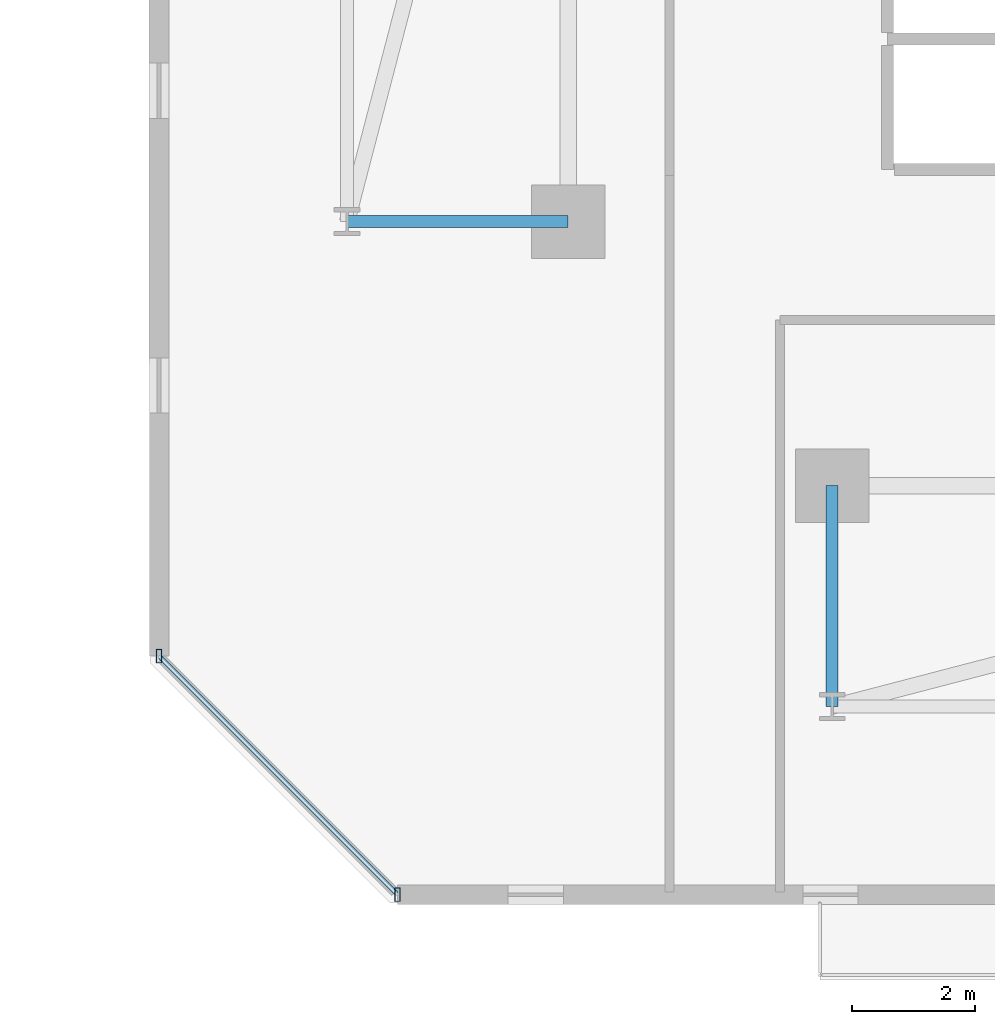
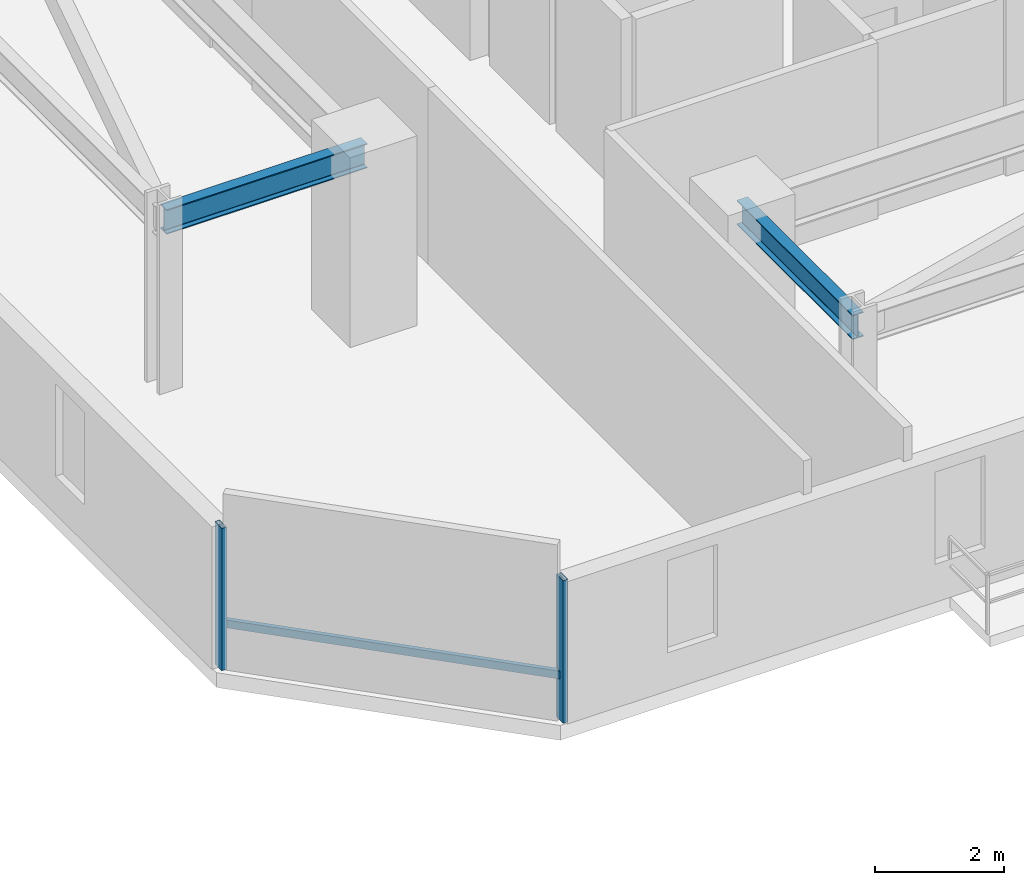
# One storey, part 11 of 33: 3 members, 2 beams, 1 element without a shape of its own.
"""IFC4 building model written with IfcOpenShell, lengths in metres."""

from ifc_helpers import new_model, si_unit, direction, frame, origin, origin_2d, place, context, subcontext, project, spatial, hollow_rectangle, i_section, extrude, material, material_profile, profile_set, type_object, element, aggregate, save


model = new_model("IFC4")

# Units and contexts
model_context = context("Model", 3, precision=1e-05, world=origin(), true_north=direction((0.0, 1.0)))
body_context = subcontext(model_context, "Body", "Model", "MODEL_VIEW")
ifc_project = project(units=[si_unit("LENGTHUNIT", "METRE"), si_unit("AREAUNIT", "SQUARE_METRE"), si_unit("VOLUMEUNIT", "CUBIC_METRE"), si_unit("PLANEANGLEUNIT", "RADIAN"), si_unit("MASSUNIT", "GRAM", prefix="KILO")], contexts=[model_context])

# Site, building, storey
site_placement = place(None, origin())
site = spatial("IfcSite", under=ifc_project, at=site_placement, CompositionType="ELEMENT")
building_placement = place(site_placement, origin())
building = spatial("IfcBuilding", under=site, at=building_placement, Name="Thornwick Lancets Civic Towers", CompositionType="ELEMENT")
storey_placement = place(building_placement, frame((0.0, 0.0, 101.699951171875)))
storey = spatial("IfcBuildingStorey", under=building, at=storey_placement, Name="L26", CompositionType="ELEMENT", Elevation=101.699951171875)

# Beams
ifc_material_1 = material(Name="Steel S355JR", Category="steel")
ifc_material_profile_1 = material_profile(ifc_material_1, i_section(OverallWidth=0.19287109375, OverallDepth=0.46728515625, WebThickness=0.011474609375, FlangeThickness=0.01953125, FilletRadius=0.01025390625, at=origin_2d()), Name="UKB 457x191x98")
ifc_profile_set_1 = profile_set([ifc_material_profile_1], Name="Steel S355JR")
beam_type = type_object("IfcBeamType", Name="BM_JOIST_457_98", PredefinedType="JOIST", material=ifc_profile_set_1)
for number, where, z_axis, x_axis, name in (
    (1, (71.199951171875, 14.0, 3.12646484375), (-1.0, 0.0, 0.0), (0.0, -1.0, 0.0), "BM-RAD-L26-B07"),
    (2, (75.5, 9.699951171875, 3.12646484375), (0.0, -1.0, 0.0), (1.0, 0.0, 0.0), "BM-RAD-L26-B12"),
):
    element("IfcBeam", number, at=place(storey_placement, frame(where, z_axis=z_axis, x_axis=x_axis)), inside=storey, type_object=beam_type, Name=name, PredefinedType="JOIST", context=body_context, shape_type="SweptSolid", body=[
        extrude(i_section(OverallWidth=0.19287109375, OverallDepth=0.46728515625, WebThickness=0.011474609375, FlangeThickness=0.01953125, FilletRadius=0.01025390625, at=origin_2d()), origin(), (0.0, 0.0, 1.0), 3.599853515625),
    ])

# Curtain wall, members
ifc_material_2 = material(Name="Low-zone chamfered-corner unitised glass curtain wall", Category="glass")
curtain_wall_type = type_object("IfcCurtainWallType", Name="CW_SYS_03", PredefinedType="NOTDEFINED", material=ifc_material_2)
curtain_wall_placement = place(storey_placement, origin())
curtain_wall = element("IfcCurtainWall", 3, at=curtain_wall_placement, inside=storey, type_object=curtain_wall_type, Name="L26 Curtain Wall CW-L26-B-E7", PredefinedType="NOTDEFINED")
ifc_material_3 = material(Name="Thermally broken bronze aluminium S355", Category="steel")
ifc_material_profile_2 = material_profile(ifc_material_3, hollow_rectangle(XDim=0.090087890625, YDim=0.219970703125, WallThickness=0.00634765625, at=origin_2d()), Name="RHS 220x90x6.3")
ifc_profile_set_2 = profile_set([ifc_material_profile_2], Name="Thermally broken bronze aluminium S355")
member_type_1 = type_object("IfcMemberType", Name="CW_MUL_220", PredefinedType="MULLION", material=ifc_profile_set_2)
member_1_placement = place(storey_placement, frame((64.53955078125, 6.922607421875, 0.0), z_axis=(0.0, 0.0, 1.0), x_axis=(1.0, 0.0, 0.0)))
member_1 = element("IfcMember", 4, at=member_1_placement, type_object=member_type_1, Name="CW-L26-B-E7 Mullion 0", PredefinedType="MULLION", context=body_context, shape_type="SweptSolid", body=[
    extrude(hollow_rectangle(XDim=0.090087890625, YDim=0.219970703125, WallThickness=0.00634765625, at=origin_2d()), origin(), (0.0, 0.0, 1.0), 2.699951171875),
])
member_2_placement = place(storey_placement, frame((68.422607421875, 3.03955078125, 0.0), z_axis=(0.0, 0.0, 1.0), x_axis=(1.0, 0.0, 0.0)))
member_2 = element("IfcMember", 5, at=member_2_placement, type_object=member_type_1, Name="CW-L26-B-E7 Mullion 1", PredefinedType="MULLION", context=body_context, shape_type="SweptSolid", body=[
    extrude(hollow_rectangle(XDim=0.090087890625, YDim=0.219970703125, WallThickness=0.00634765625, at=origin_2d()), origin(), (0.0, 0.0, 1.0), 2.699951171875),
])
ifc_material_profile_3 = material_profile(ifc_material_3, hollow_rectangle(XDim=0.074951171875, YDim=0.14990234375, WallThickness=0.0048828125, at=origin_2d()), Name="RHS 150x75x5")
ifc_profile_set_3 = profile_set([ifc_material_profile_3], Name="Thermally broken bronze aluminium S355")
member_type_2 = type_object("IfcMemberType", Name="CW_TRN_150", PredefinedType="USERDEFINED", material=ifc_profile_set_3)
member_3_placement = place(storey_placement, frame((64.5537109375, 6.90869140625, 0.85009765625), z_axis=(0.707106781187, -0.707106781187, 0.0), x_axis=(0.707106781187, 0.707106781187, 0.0)))
member_3 = element("IfcMember", 6, at=member_3_placement, type_object=member_type_2, Name="CW-L26-B-E7 Transom 0", ObjectType="TRANSOM", PredefinedType="USERDEFINED", context=body_context, shape_type="SweptSolid", body=[
    extrude(hollow_rectangle(XDim=0.074951171875, YDim=0.14990234375, WallThickness=0.0048828125, at=origin_2d()), origin(), (0.0, 0.0, 1.0), 5.45166015625),
])
aggregate(curtain_wall, [member_1, member_2, member_3])

save(model, "model.ifc")
